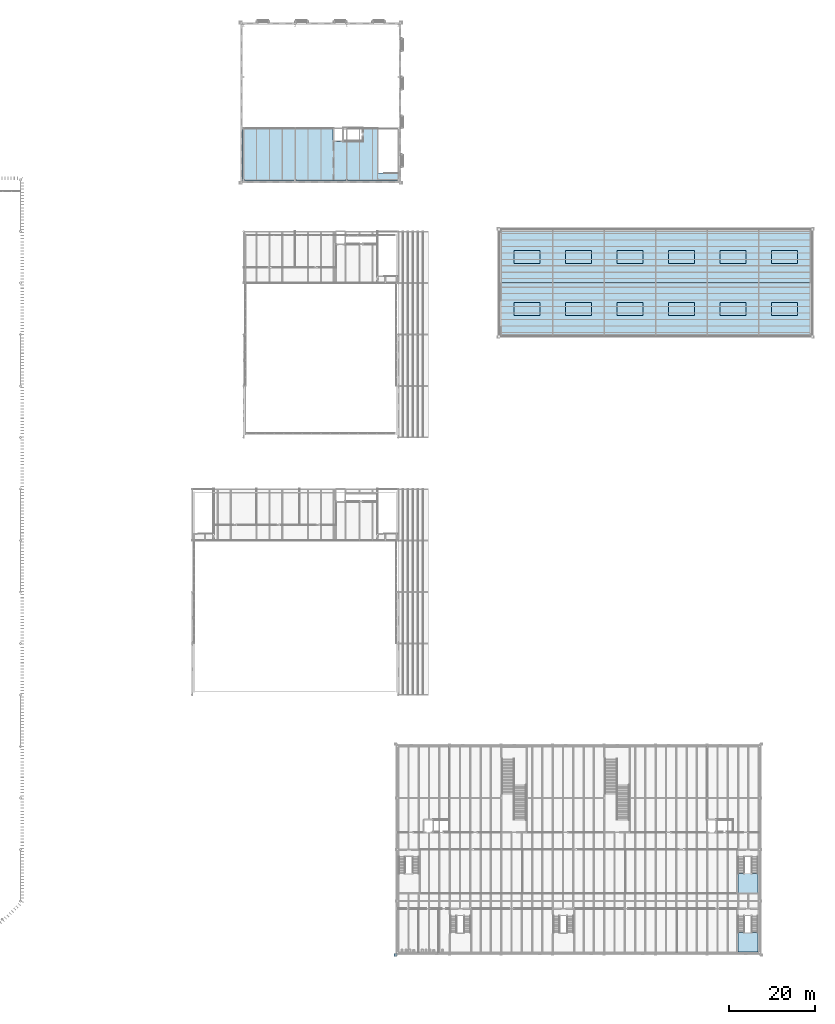
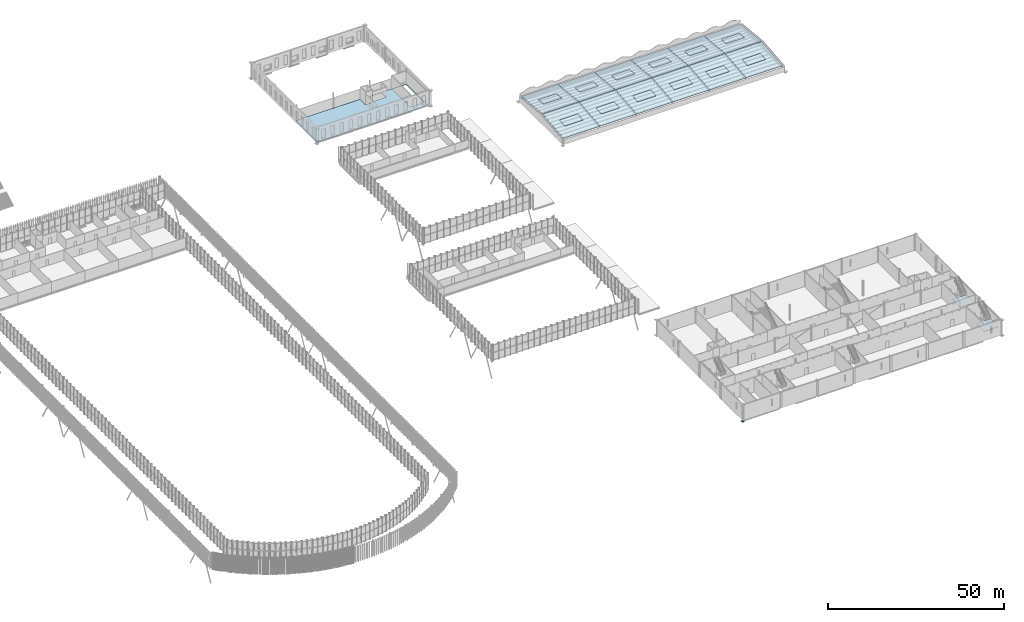
# One storey, part 101 of 170: 15 slabs, 12 plates, 1 wall, 2 elements without a shape of their own.
"""IFC4 building model written with IfcOpenShell, lengths in metres."""

from ifc_helpers import new_model, si_unit, direction, frame, frame_2d, origin, place, context, subcontext, project, spatial, polyline, rectangle, outline, extrude, material, layer, layer_set, type_object, element, aggregate, save


model = new_model("IFC4")

# Units and contexts
model_context = context("Model", 3, precision=1e-05, world=origin(), true_north=direction((0.0, 1.0)))
body_context = subcontext(model_context, "Body", "Model", "MODEL_VIEW")
ifc_project = project(units=[si_unit("LENGTHUNIT", "METRE"), si_unit("AREAUNIT", "SQUARE_METRE"), si_unit("VOLUMEUNIT", "CUBIC_METRE"), si_unit("PLANEANGLEUNIT", "RADIAN"), si_unit("MASSUNIT", "GRAM", prefix="KILO")], contexts=[model_context])

# Site, building, storey
site_placement = place(None, origin())
site = spatial("IfcSite", under=ifc_project, at=site_placement, CompositionType="ELEMENT")
building_placement = place(site_placement, origin())
building = spatial("IfcBuilding", under=site, at=building_placement, Name="Ravi Spectrum Wholesale Market", CompositionType="ELEMENT")
storey_placement = place(building_placement, frame((0.0, 0.0, 5.39990234375)))
storey = spatial("IfcBuildingStorey", under=building, at=storey_placement, Name="L01", CompositionType="ELEMENT", Elevation=5.39990234375)

# Slabs
ifc_material_1 = material(Name="Concrete C35/45", Category="concrete")
ifc_layer_1 = layer(ifc_material_1, 0.199951171875)
ifc_layer_set_1 = layer_set([ifc_layer_1], Name="Concrete C35/45")
slab_type_1 = type_object("IfcSlabType", Name="Mezzanine deck 200", PredefinedType="FLOOR", material=ifc_layer_set_1)
slab_1_placement = place(storey_placement, frame((0.0, 0.0, -0.199951171875)))
element("IfcSlab", 1, at=slab_1_placement, inside=storey, type_object=slab_type_1, Name="Auction gallery slab", PredefinedType="FLOOR", context=body_context, shape_type="SweptSolid", body=[
    extrude(outline(polyline([(198.25, 210.0), (198.25, 197.75), (161.75, 197.75), (161.75, 210.0), (161.85009765625, 210.0), (161.85009765625, 209.830078125), (162.14990234375, 209.830078125), (162.14990234375, 210.0), (173.85009765625, 210.0), (173.85009765625, 209.830078125), (174.14990234375, 209.830078125), (174.14990234375, 210.0), (182.875, 210.0), (182.875, 206.925048828125), (185.27490234375, 206.925048828125), (185.27490234375, 207.14990234375), (189.699951171875, 207.14990234375), (189.699951171875, 209.89990234375), (186.14990234375, 209.89990234375), (186.14990234375, 210.0), (197.85009765625, 210.0), (197.85009765625, 209.89990234375), (193.300048828125, 209.89990234375), (193.300048828125, 199.60498046875), (197.89990234375, 199.60498046875), (197.89990234375, 209.830078125), (198.14990234375, 209.830078125), (198.14990234375, 210.0), (198.25, 210.0)]), holes=[polyline([(162.14990234375, 198.169921875), (161.85009765625, 198.169921875), (161.85009765625, 197.830078125), (162.14990234375, 197.830078125), (162.14990234375, 198.169921875)]), polyline([(174.14990234375, 198.169921875), (173.85009765625, 198.169921875), (173.85009765625, 197.830078125), (174.14990234375, 197.830078125), (174.14990234375, 198.169921875)]), polyline([(186.14990234375, 198.169921875), (185.85009765625, 198.169921875), (185.85009765625, 197.830078125), (186.14990234375, 197.830078125), (186.14990234375, 198.169921875)]), polyline([(198.14990234375, 197.830078125), (198.14990234375, 198.169921875), (197.85009765625, 198.169921875), (197.85009765625, 197.830078125), (198.14990234375, 197.830078125)])]), origin(), (0.0, 0.0, 1.0), 0.199951171875),
])
ifc_material_2 = material(Name="Steel S355", Category="steel")
ifc_layer_2 = layer(ifc_material_2, 0.1201171875)
ifc_layer_set_2 = layer_set([ifc_layer_2], Name="Steel S355")
slab_type_2 = type_object("IfcSlabType", Name="Roof deck 120", PredefinedType="ROOF", material=ifc_layer_set_2)
slab_2_placement = place(storey_placement, frame((222.0, 162.0, 1.800048828125), z_axis=(0.0, -0.099511776798, 0.995036384399), x_axis=(1.0, 0.0, 0.0)))
element("IfcSlab", 2, at=slab_2_placement, inside=storey, type_object=slab_type_2, Name="Store roof deck", PredefinedType="ROOF", context=body_context, shape_type="SweptSolid", body=[
    extrude(outline(polyline([(0.0, 0.0), (12.0, 0.0), (12.0, 11.999502323181883), (0.0, 11.999502323181883), (0.0, 0.0)])), origin(), (0.0, 0.0, -1.0), 0.1201171875),
])
slab_3_placement = place(storey_placement, frame((222.0, 186.0, 1.800048828125), z_axis=(0.0, 0.099511776798, 0.995036384399), x_axis=(1.0, 0.0, 0.0)))
element("IfcSlab", 3, at=slab_3_placement, inside=storey, type_object=slab_type_2, Name="Store roof deck", PredefinedType="ROOF", context=body_context, shape_type="SweptSolid", body=[
    extrude(outline(polyline([(0.0, 0.0), (12.0, 0.0), (12.0, -11.999502323181883), (0.0, -11.999502323181883), (0.0, 0.0)])), origin(), (0.0, 0.0, -1.0), 0.1201171875),
])
slab_4_placement = place(storey_placement, frame((234.0, 162.0, 1.800048828125), z_axis=(0.0, -0.099511776798, 0.995036384399), x_axis=(1.0, 0.0, 0.0)))
element("IfcSlab", 4, at=slab_4_placement, inside=storey, type_object=slab_type_2, Name="Store roof deck", PredefinedType="ROOF", context=body_context, shape_type="SweptSolid", body=[
    extrude(outline(polyline([(0.0, 0.0), (12.0, 0.0), (12.0, 11.999502323181883), (0.0, 11.999502323181883), (0.0, 0.0)])), origin(), (0.0, 0.0, -1.0), 0.1201171875),
])
slab_5_placement = place(storey_placement, frame((234.0, 186.0, 1.800048828125), z_axis=(0.0, 0.099511776798, 0.995036384399), x_axis=(1.0, 0.0, 0.0)))
element("IfcSlab", 5, at=slab_5_placement, inside=storey, type_object=slab_type_2, Name="Store roof deck", PredefinedType="ROOF", context=body_context, shape_type="SweptSolid", body=[
    extrude(outline(polyline([(0.0, 0.0), (12.0, 0.0), (12.0, -11.999502323181883), (0.0, -11.999502323181883), (0.0, 0.0)])), origin(), (0.0, 0.0, -1.0), 0.1201171875),
])
slab_6_placement = place(storey_placement, frame((246.0, 162.0, 1.800048828125), z_axis=(0.0, -0.099511776798, 0.995036384399), x_axis=(1.0, 0.0, 0.0)))
element("IfcSlab", 6, at=slab_6_placement, inside=storey, type_object=slab_type_2, Name="Store roof deck", PredefinedType="ROOF", context=body_context, shape_type="SweptSolid", body=[
    extrude(outline(polyline([(0.0, 0.0), (12.0, 0.0), (12.0, 11.999502323181883), (0.0, 11.999502323181883), (0.0, 0.0)])), origin(), (0.0, 0.0, -1.0), 0.1201171875),
])
slab_7_placement = place(storey_placement, frame((246.0, 186.0, 1.800048828125), z_axis=(0.0, 0.099511776798, 0.995036384399), x_axis=(1.0, 0.0, 0.0)))
element("IfcSlab", 7, at=slab_7_placement, inside=storey, type_object=slab_type_2, Name="Store roof deck", PredefinedType="ROOF", context=body_context, shape_type="SweptSolid", body=[
    extrude(outline(polyline([(0.0, 0.0), (12.0, 0.0), (12.0, -11.999502323181883), (0.0, -11.999502323181883), (0.0, 0.0)])), origin(), (0.0, 0.0, -1.0), 0.1201171875),
])
slab_8_placement = place(storey_placement, frame((258.0, 162.0, 1.800048828125), z_axis=(0.0, -0.099511776798, 0.995036384399), x_axis=(1.0, 0.0, 0.0)))
element("IfcSlab", 8, at=slab_8_placement, inside=storey, type_object=slab_type_2, Name="Store roof deck", PredefinedType="ROOF", context=body_context, shape_type="SweptSolid", body=[
    extrude(outline(polyline([(0.0, 0.0), (12.0, 0.0), (12.0, 11.999502323181883), (0.0, 11.999502323181883), (0.0, 0.0)])), origin(), (0.0, 0.0, -1.0), 0.1201171875),
])
slab_9_placement = place(storey_placement, frame((258.0, 186.0, 1.800048828125), z_axis=(0.0, 0.099511776798, 0.995036384399), x_axis=(1.0, 0.0, 0.0)))
element("IfcSlab", 9, at=slab_9_placement, inside=storey, type_object=slab_type_2, Name="Store roof deck", PredefinedType="ROOF", context=body_context, shape_type="SweptSolid", body=[
    extrude(outline(polyline([(0.0, 0.0), (12.0, 0.0), (12.0, -11.999502323181883), (0.0, -11.999502323181883), (0.0, 0.0)])), origin(), (0.0, 0.0, -1.0), 0.1201171875),
])
slab_10_placement = place(storey_placement, frame((270.0, 162.0, 1.800048828125), z_axis=(0.0, -0.099511776798, 0.995036384399), x_axis=(1.0, 0.0, 0.0)))
element("IfcSlab", 10, at=slab_10_placement, inside=storey, type_object=slab_type_2, Name="Store roof deck", PredefinedType="ROOF", context=body_context, shape_type="SweptSolid", body=[
    extrude(outline(polyline([(0.0, 0.0), (12.0, 0.0), (12.0, 11.999502323181883), (0.0, 11.999502323181883), (0.0, 0.0)])), origin(), (0.0, 0.0, -1.0), 0.1201171875),
])
slab_11_placement = place(storey_placement, frame((270.0, 186.0, 1.800048828125), z_axis=(0.0, 0.099511776798, 0.995036384399), x_axis=(1.0, 0.0, 0.0)))
element("IfcSlab", 11, at=slab_11_placement, inside=storey, type_object=slab_type_2, Name="Store roof deck", PredefinedType="ROOF", context=body_context, shape_type="SweptSolid", body=[
    extrude(outline(polyline([(0.0, 0.0), (12.0, 0.0), (12.0, -11.999502323181883), (0.0, -11.999502323181883), (0.0, 0.0)])), origin(), (0.0, 0.0, -1.0), 0.1201171875),
])
slab_12_placement = place(storey_placement, frame((282.0, 162.0, 1.800048828125), z_axis=(0.0, -0.099511776798, 0.995036384399), x_axis=(1.0, 0.0, 0.0)))
element("IfcSlab", 12, at=slab_12_placement, inside=storey, type_object=slab_type_2, Name="Store roof deck", PredefinedType="ROOF", context=body_context, shape_type="SweptSolid", body=[
    extrude(outline(polyline([(0.0, 0.0), (12.0, 0.0), (12.0, 11.999502323181883), (0.0, 11.999502323181883), (0.0, 0.0)])), origin(), (0.0, 0.0, -1.0), 0.1201171875),
])
slab_13_placement = place(storey_placement, frame((282.0, 186.0, 1.800048828125), z_axis=(0.0, 0.099511776798, 0.995036384399), x_axis=(1.0, 0.0, 0.0)))
element("IfcSlab", 13, at=slab_13_placement, inside=storey, type_object=slab_type_2, Name="Store roof deck", PredefinedType="ROOF", context=body_context, shape_type="SweptSolid", body=[
    extrude(outline(polyline([(0.0, 0.0), (12.0, 0.0), (12.0, -11.999502323181883), (0.0, -11.999502323181883), (0.0, 0.0)])), origin(), (0.0, 0.0, -1.0), 0.1201171875),
])

# Plates
ifc_material_3 = material(Name="Toughened glass", Category="glass")
ifc_layer_3 = layer(ifc_material_3, 0.0400390625)
ifc_layer_set_3 = layer_set([ifc_layer_3], Name="Toughened glass")
plate_type = type_object("IfcPlateType", Name="Rooflight 6000 x 3000", PredefinedType="SHEET", material=ifc_layer_set_3)
for number, where, z_axis, x_axis, name in (
    (14, (225.0, 166.469970703125, 2.287353515625), (0.0, -0.0995197539, 0.995035586592), (1.0, 0.0, 0.0), "Rooflight"),
    (15, (225.0, 178.530029296875, 2.58740234375), (0.0, 0.0995197539, 0.995035586592), (1.0, 0.0, 0.0), "Rooflight"),
    (16, (237.0, 166.469970703125, 2.287353515625), (0.0, -0.0995197539, 0.995035586592), (1.0, 0.0, 0.0), "Rooflight"),
    (17, (237.0, 178.530029296875, 2.58740234375), (0.0, 0.0995197539, 0.995035586592), (1.0, 0.0, 0.0), "Rooflight"),
    (18, (249.0, 166.469970703125, 2.287353515625), (0.0, -0.0995197539, 0.995035586592), (1.0, 0.0, 0.0), "Rooflight"),
    (19, (249.0, 178.530029296875, 2.58740234375), (0.0, 0.0995197539, 0.995035586592), (1.0, 0.0, 0.0), "Rooflight"),
    (20, (261.0, 166.469970703125, 2.287353515625), (0.0, -0.0995197539, 0.995035586592), (1.0, 0.0, 0.0), "Rooflight"),
    (21, (261.0, 178.530029296875, 2.58740234375), (0.0, 0.0995197539, 0.995035586592), (1.0, 0.0, 0.0), "Rooflight"),
    (22, (273.0, 166.469970703125, 2.287353515625), (0.0, -0.0995197539, 0.995035586592), (1.0, 0.0, 0.0), "Rooflight"),
    (23, (273.0, 178.530029296875, 2.58740234375), (0.0, 0.0995197539, 0.995035586592), (1.0, 0.0, 0.0), "Rooflight"),
    (24, (285.0, 166.469970703125, 2.287353515625), (0.0, -0.0995197539, 0.995035586592), (1.0, 0.0, 0.0), "Rooflight"),
    (25, (285.0, 178.530029296875, 2.58740234375), (0.0, 0.0995197539, 0.995035586592), (1.0, 0.0, 0.0), "Rooflight"),
):
    element("IfcPlate", number, at=place(storey_placement, frame(where, z_axis=z_axis, x_axis=x_axis)), inside=storey, type_object=plate_type, Name=name, PredefinedType="SHEET", context=body_context, shape_type="SweptSolid", body=[
        extrude(outline(polyline([(0.0, 0.0), (6.0, 0.0), (6.0, 3.014967545307774), (0.0, 3.014967545307774), (0.0, 0.0)])), origin(), (0.0, 0.0, -1.0), 0.0400390625),
    ])

# Stair, slab
ifc_material_4 = material(Name="Concrete C35/45", Category="concrete")
stair_type = type_object("IfcStairType", Name="Stair", PredefinedType="NOTDEFINED", material=ifc_material_4)
stair_1_placement = place(storey_placement, origin())
stair_1 = element("IfcStair", 26, at=stair_1_placement, inside=storey, type_object=stair_type, Name="L01 S-CS-2", PredefinedType="HALF_TURN_STAIR")
ifc_material_5 = material(Name="Concrete C35/45", Category="concrete")
ifc_layer_4 = layer(ifc_material_5, 0.199951171875)
ifc_layer_set_4 = layer_set([ifc_layer_4], Name="Concrete C35/45")
slab_type_3 = type_object("IfcSlabType", Name="Stair landing 200", PredefinedType="LANDING", material=ifc_layer_set_4)
slab_14_placement = place(storey_placement, frame((0.0, 0.0, 2.5)))
slab_14 = element("IfcSlab", 27, at=slab_14_placement, type_object=slab_type_3, Name="S-CS-2 landing 1", PredefinedType="LANDING", context=body_context, shape_type="SweptSolid", body=[
    extrude(outline(polyline([(277.125, 36.429931640625), (277.125, 31.925048828125), (281.875, 31.925048828125), (281.875, 36.429931640625), (277.125, 36.429931640625)])), origin(), (0.0, 0.0, 1.0), 0.2001953125),
])
aggregate(stair_1, [slab_14])

stair_2_placement = place(storey_placement, origin())
stair_2 = element("IfcStair", 28, at=stair_2_placement, inside=storey, type_object=stair_type, Name="L01 S-CS-7", PredefinedType="HALF_TURN_STAIR")
slab_15_placement = place(storey_placement, frame((0.0, 0.0, 2.5)))
slab_15 = element("IfcSlab", 29, at=slab_15_placement, type_object=slab_type_3, Name="S-CS-7 landing 1", PredefinedType="LANDING", context=body_context, shape_type="SweptSolid", body=[
    extrude(outline(polyline([(277.125, 22.6298828125), (277.125, 18.125), (281.875, 18.125), (281.875, 22.6298828125), (277.125, 22.6298828125)])), origin(), (0.0, 0.0, 1.0), 0.2001953125),
])
aggregate(stair_2, [slab_15])

# Wall
ifc_material_6 = material(Name="Clinker brickwork", Category="masonry")
ifc_layer_5 = layer(ifc_material_6, 0.695068359375)
ifc_layer_set_5 = layer_set([ifc_layer_5], Name="Clinker brickwork")
wall_type = type_object("IfcWallType", Name="Brick corbel 695", PredefinedType="SOLIDWALL", material=ifc_layer_set_5)
wall_placement = place(storey_placement, frame((197.75, 17.402587890625, -0.1298828125), z_axis=(0.0, 0.0, 1.0), x_axis=(-1.0, 0.0, 0.0)))
element("IfcWall", 30, at=wall_placement, inside=storey, type_object=wall_type, Name="CS-WL-L01-033", PredefinedType="SOLIDWALL", context=body_context, shape_type="SweptSolid", body=[
    extrude(rectangle(XDim=0.760009765625, YDim=0.695068359375, at=frame_2d((0.3798828125, 0.0))), origin(), (0.0, 0.0, 1.0), 0.1298828125),
])

save(model, "model.ifc")
